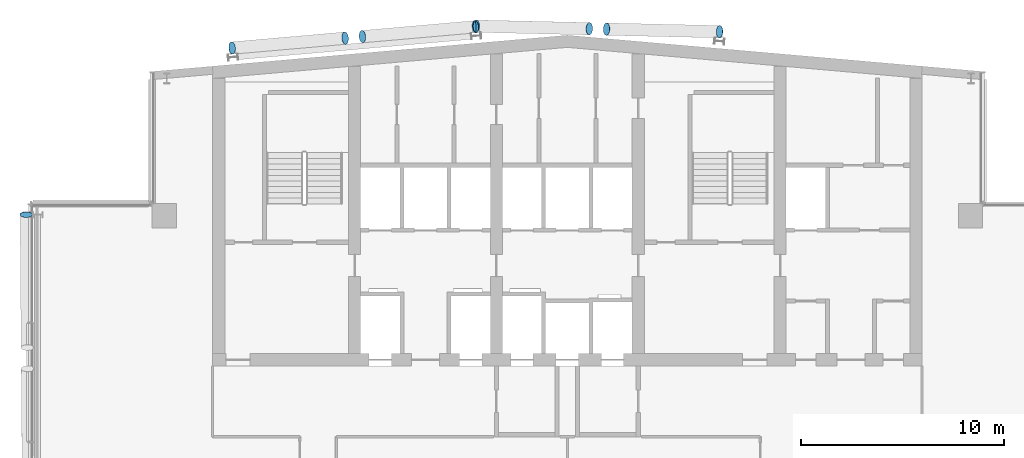
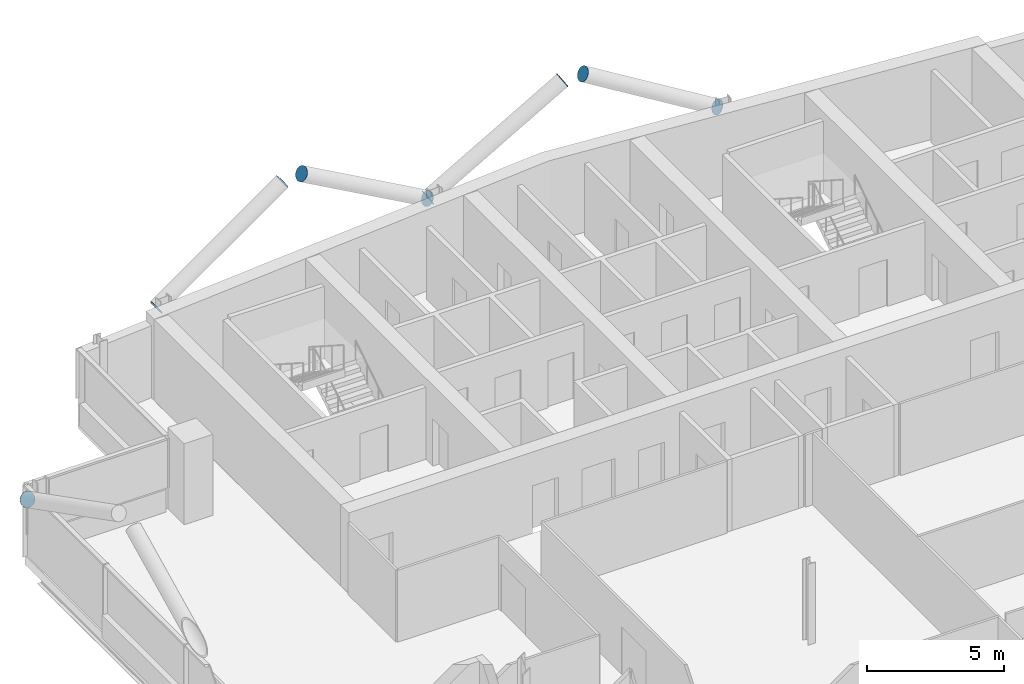
# One storey, part 24 of 28: 9 discrete accessories.
"""IFC4 building model written with IfcOpenShell, lengths in metres."""

from ifc_helpers import new_model, si_unit, direction, frame, origin, origin_2d, place, context, subcontext, project, spatial, circle, extrude, material, material_profile, profile_set, type_object, element, save


model = new_model("IFC4")

# Units and contexts
model_context = context("Model", 3, precision=1e-05, world=origin(), true_north=direction((0.0, 1.0)))
body_context = subcontext(model_context, "Body", "Model", "MODEL_VIEW")
ifc_project = project(units=[si_unit("LENGTHUNIT", "METRE"), si_unit("AREAUNIT", "SQUARE_METRE"), si_unit("VOLUMEUNIT", "CUBIC_METRE"), si_unit("PLANEANGLEUNIT", "RADIAN"), si_unit("MASSUNIT", "GRAM", prefix="KILO")], contexts=[model_context])

# Site, building, storey
site_placement = place(None, origin())
site = spatial("IfcSite", under=ifc_project, at=site_placement, CompositionType="ELEMENT")
building_placement = place(site_placement, origin())
building = spatial("IfcBuilding", under=site, at=building_placement, Name="Wharfspan Tower", CompositionType="ELEMENT")
storey_placement = place(building_placement, frame((0.0, 0.0, 250.300049)))
storey = spatial("IfcBuildingStorey", under=building, at=storey_placement, Name="L63", CompositionType="ELEMENT", Elevation=250.300049)

# Discrete accessories
ifc_material = material(Name="Steel S460NH", Category="steel")
ifc_material_profile = material_profile(ifc_material, circle(Radius=0.304932, at=origin_2d()))
ifc_profile_set = profile_set([ifc_material_profile], Name="Steel S460NH")
discrete_accessory_type = type_object("IfcDiscreteAccessoryType", Name="End plate CHS 610x25", PredefinedType="BRACKET", material=ifc_profile_set)
discrete_accessory_placement = place(storey_placement, frame((13.792969, 41.468506, 2.895508), z_axis=(0.0, -0.894427, 0.447214), x_axis=(1.0, 0.0, 0.0)))
element("IfcDiscreteAccessory", 1, at=discrete_accessory_placement, inside=storey, type_object=discrete_accessory_type, Name="End plate CHS 610x25", PredefinedType="BRACKET", context=body_context, shape_type="SweptSolid", body=[
    extrude(circle(Radius=0.304932, at=origin_2d()), origin(), (0.0, 0.0, 1.0), 0.009766),
])
for number, where, z_axis, x_axis, name in (
    (2, (23.952148, 49.684326, 2.894775), (0.855186, 0.073302, 0.513112), (-0.085402, 0.996345, 1e-06), "End plate CHS 610x25"),
    (3, (29.527588, 50.172119, 6.240234), (0.855186, 0.073302, 0.513112), (-0.085402, 0.996345, 1e-06), "End plate CHS 610x25"),
    (4, (35.969238, 50.73584, 2.894775), (-0.855186, -0.073302, 0.513112), (0.085402, -0.996345, 1e-06), "End plate CHS 610x25"),
    (5, (30.393555, 50.248047, 6.240234), (-0.855186, -0.073302, 0.513112), (0.085402, -0.996345, 1e-06), "End plate CHS 610x25"),
    (6, (36.001953, 50.763184, 2.894775), (0.857236, -0.024492, 0.514341), (0.028558, 0.999591, 2e-06), "End plate CHS 610x25"),
    (7, (41.577881, 50.636475, 6.240479), (0.857236, -0.024492, 0.514341), (0.028558, 0.999591, 2e-06), "End plate CHS 610x25"),
    (8, (48.018799, 50.48999, 2.894775), (-0.857236, 0.024492, 0.514341), (-0.028558, -0.999591, 2e-06), "End plate CHS 610x25"),
    (9, (42.442871, 50.616699, 6.240479), (-0.857236, 0.024492, 0.514341), (-0.028558, -0.999591, 2e-06), "End plate CHS 610x25"),
):
    element("IfcDiscreteAccessory", number, at=place(storey_placement, frame(where, z_axis=z_axis, x_axis=x_axis)), inside=storey, type_object=discrete_accessory_type, Name=name, PredefinedType="BRACKET", context=body_context, shape_type="SweptSolid", body=[
        extrude(circle(Radius=0.304932, at=origin_2d()), origin(), (0.0, 0.0, 1.0), 0.01001),
    ])

save(model, "model.ifc")
